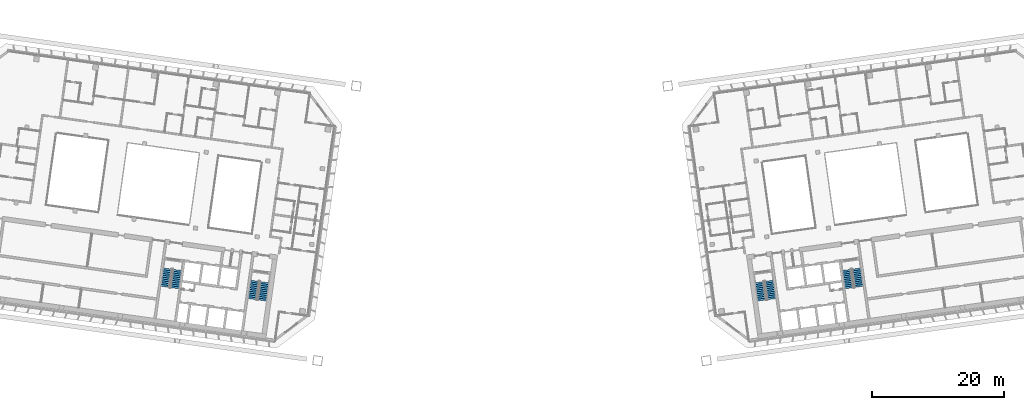
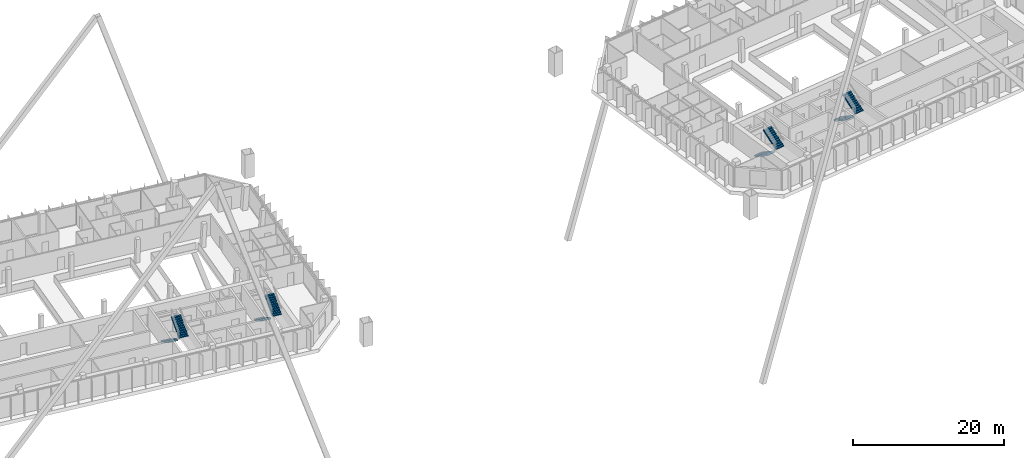
# One storey, part 32 of 38: 8 stair flights, 4 elements without a shape of their own.
"""IFC4 building model written with IfcOpenShell, lengths in metres."""

import ifcopenshell
import ifcopenshell.guid

model = None  # the IFC model being written
_history = None  # IfcOwnerHistory: only IFC2X3 demands one
_inside = {}  # id of a spatial element -> (the spatial element, [elements in it])
_under = {}  # id of a project, library or spatial element -> (it, [spatial elements below it])
_declared = {}  # id of a project -> (the project, [libraries it declares])
_typed = {}  # id of a type object -> (the type object, [elements of that type])
_made_of = {}  # id of a material, layer set ... -> (it, [elements and type objects made of it])


def new_model(schema):
    """Start an empty IFC model of exactly this schema.

    Asked for "IFC4X3", IfcOpenShell would pick the latest addendum, in which some entities
    have other attributes; the version numbers below select the first issue.
    IFC2X3 requires an IfcOwnerHistory on every rooted entity: one is made here for all.
    """
    global model, _history
    if schema == "IFC4X3":
        model = ifcopenshell.file(schema_version=(4, 3, 0, 0))
    else:
        model = ifcopenshell.file(schema=schema)
    _inside.clear()
    _under.clear()
    _declared.clear()
    _typed.clear()
    _made_of.clear()
    _history = None
    if model.schema == "IFC2X3":
        org = make("IfcOrganization", Name="unknown")
        user = make(
            "IfcPersonAndOrganization",
            ThePerson=make("IfcPerson", FamilyName="unknown"),
            TheOrganization=org,
        )
        app = make(
            "IfcApplication",
            ApplicationDeveloper=org,
            Version="unknown",
            ApplicationFullName="unknown",
            ApplicationIdentifier="unknown",
        )
        _history = make(
            "IfcOwnerHistory",
            OwningUser=user,
            OwningApplication=app,
            ChangeAction="ADDED",
            CreationDate=0,
        )
    return model


def make(cls, **values):
    """One entity of the class cls with the attributes given. An attribute that is None is left unset."""
    return model.create_entity(
        cls, **{name: value for name, value in values.items() if value is not None}
    )


def rooted(cls, **values):
    """An entity with a GlobalId (a new one), such as an element, a storey or a relation."""
    return make(cls, GlobalId=ifcopenshell.guid.new(), OwnerHistory=_history, **values)


def si_unit(unit_type, name, prefix=None):
    """IfcSIUnit, for example si_unit("LENGTHUNIT", "METRE", prefix="MILLI")."""
    return make("IfcSIUnit", UnitType=unit_type, Prefix=prefix, Name=name)


def assignment(units):
    """IfcUnitAssignment: the units of a project."""
    return None if units is None else make("IfcUnitAssignment", Units=units)


def point(xyz):
    """IfcCartesianPoint."""
    return None if xyz is None else make("IfcCartesianPoint", Coordinates=xyz)


def direction(xyz):
    """IfcDirection."""
    return None if xyz is None else make("IfcDirection", DirectionRatios=xyz)


def frame(location, z_axis=None, x_axis=None):
    """IfcAxis2Placement3D, a coordinate frame: its origin and axes. An axis left out is left unset."""
    return make(
        "IfcAxis2Placement3D",
        Location=point(location),
        Axis=direction(z_axis),
        RefDirection=direction(x_axis),
    )


def origin():
    """The frame at (0, 0, 0) with its axes left unset."""
    return frame((0.0, 0.0, 0.0))


def place(relative_to, where):
    """IfcLocalPlacement: puts the frame where relative to a parent placement (None: the world)."""
    return make(
        "IfcLocalPlacement", PlacementRelTo=relative_to, RelativePlacement=where
    )


def context(
    kind, dimensions, precision=None, world=None, true_north=None, identifier=None
):
    """IfcGeometricRepresentationContext, for example the 3D "Model" context."""
    return make(
        "IfcGeometricRepresentationContext",
        ContextIdentifier=identifier,
        ContextType=kind,
        CoordinateSpaceDimension=dimensions,
        Precision=precision,
        WorldCoordinateSystem=world,
        TrueNorth=true_north,
    )


def subcontext(parent, identifier, kind, view, scale=None):
    """IfcGeometricRepresentationSubContext, for example "Body" below "Model"."""
    return make(
        "IfcGeometricRepresentationSubContext",
        ContextIdentifier=identifier,
        ContextType=kind,
        ParentContext=parent,
        TargetScale=scale,
        TargetView=view,
    )


def project(units=None, contexts=None):
    """IfcProject with its units and contexts."""
    return rooted(
        "IfcProject",
        Name="project",
        RepresentationContexts=contexts,
        UnitsInContext=assignment(units),
    )


def spatial(cls, under=None, at=None, **own):
    """A site, building, storey or space (cls), placed at a placement, below another one or the project."""
    s = rooted(cls, ObjectPlacement=at, **own)
    if under is not None:
        _under.setdefault(under.id(), (under, []))[1].append(s)
    return s


def polyline(points):
    """IfcPolyline through the points."""
    return make("IfcPolyline", Points=[point(p) for p in points])


def outline(outer, holes=None, kind="AREA"):
    """IfcArbitraryClosedProfileDef: a profile drawn as a closed curve; with holes, ...WithVoids."""
    if holes is None:
        return make("IfcArbitraryClosedProfileDef", ProfileType=kind, OuterCurve=outer)
    return make(
        "IfcArbitraryProfileDefWithVoids",
        ProfileType=kind,
        OuterCurve=outer,
        InnerCurves=holes,
    )


def extrude(swept, where, along, depth):
    """IfcExtrudedAreaSolid: the profile swept, set in the frame where, extruded along a direction by depth."""
    return make(
        "IfcExtrudedAreaSolid",
        SweptArea=swept,
        Position=where,
        ExtrudedDirection=direction(along),
        Depth=depth,
    )


def shape(context_of_items, identifier, shape_type, items):
    """IfcShapeRepresentation: the items that make up one representation, for example the "Body"."""
    return make(
        "IfcShapeRepresentation",
        ContextOfItems=context_of_items,
        RepresentationIdentifier=identifier,
        RepresentationType=shape_type,
        Items=items,
    )


def material(Name=None, Category=None):
    """IfcMaterial."""
    return make("IfcMaterial", Name=Name, Category=Category)


def made_of(thing, what):
    """Note that an element or type object is made of a material, layer set ...; save() writes the relation."""
    if what is not None:
        _made_of.setdefault(what.id(), (what, []))[1].append(thing)
    return thing


def type_object(cls, material=None, **own):
    """A type object (cls), such as IfcWallType, which elements share."""
    return made_of(rooted(cls, **own), material)


def element(
    cls,
    number,
    at=None,
    inside=None,
    cuts=None,
    type_object=None,
    material=None,
    context=None,
    identifier="Body",
    shape_type=None,
    held_by="IfcProductDefinitionShape",
    body=None,
    shapes=None,
    **own,
):
    """One element of the class cls, such as IfcWall. Its Tag is "e" and its number.

    at: its placement. inside: the storey or other place that contains it. cuts: it is an
    opening in that element (IfcRelVoidsElement). A single representation is given by context,
    identifier, shape_type and body (its items); several are given by shapes. held_by: the class
    of the entity that holds the representations. save() writes the other relations.
    """
    e = rooted(cls, Tag="e%d" % number, ObjectPlacement=at, **own)
    if body is not None:
        shapes = [shape(context, identifier, shape_type, body)]
    if shapes is not None:
        e.Representation = make(held_by, Representations=shapes)
    if inside is not None:
        _inside.setdefault(inside.id(), (inside, []))[1].append(e)
    if cuts is not None:
        rooted(
            "IfcRelVoidsElement", RelatingBuildingElement=cuts, RelatedOpeningElement=e
        )
    if type_object is not None:
        _typed.setdefault(type_object.id(), (type_object, []))[1].append(e)
    return made_of(e, material)


def aggregate(whole, parts):
    """IfcRelAggregates: a whole, such as a stair, and the parts it consists of."""
    return rooted("IfcRelAggregates", RelatingObject=whole, RelatedObjects=parts)


def save(model, path):
    """Write the relations noted so far, then the file.

    IfcRelAggregates (storeys below a building ...), IfcRelContainedInSpatialStructure (elements
    in a storey), IfcRelDefinesByType, IfcRelAssociatesMaterial and IfcRelDeclares: one each for
    every whole, place, type object, material and project.
    """
    for whole, parts in _under.values():
        aggregate(whole, parts)
    for where, things in _inside.values():
        rooted(
            "IfcRelContainedInSpatialStructure",
            RelatedElements=things,
            RelatingStructure=where,
        )
    for kind, things in _typed.values():
        rooted("IfcRelDefinesByType", RelatedObjects=things, RelatingType=kind)
    for what, things in _made_of.values():
        rooted("IfcRelAssociatesMaterial", RelatedObjects=things, RelatingMaterial=what)
    for by, libraries in _declared.values():
        rooted("IfcRelDeclares", RelatingContext=by, RelatedDefinitions=libraries)
    model.write(path)


model = new_model("IFC4")

# Units and contexts
model_context = context("Model", 3, precision=1e-05, world=origin(), true_north=direction((0.0, 1.0)))
body_context = subcontext(model_context, "Body", "Model", "MODEL_VIEW")
ifc_project = project(units=[si_unit("LENGTHUNIT", "METRE"), si_unit("AREAUNIT", "SQUARE_METRE"), si_unit("VOLUMEUNIT", "CUBIC_METRE"), si_unit("PLANEANGLEUNIT", "RADIAN"), si_unit("MASSUNIT", "GRAM", prefix="KILO")], contexts=[model_context])

# Site, building, storey
site_placement = place(None, origin())
site = spatial("IfcSite", under=ifc_project, at=site_placement, CompositionType="ELEMENT")
building_placement = place(site_placement, origin())
building = spatial("IfcBuilding", under=site, at=building_placement, Name="Mirante Cascada Hotel Towers", CompositionType="ELEMENT")
storey_placement = place(building_placement, frame((0.0, 0.0, 184.0)))
storey = spatial("IfcBuildingStorey", under=building, at=storey_placement, Name="L43", CompositionType="ELEMENT", Elevation=184.0)

# Stair, stair flights
ifc_material_1 = material(Name="Concrete C35/45", Category="concrete")
stair_type = type_object("IfcStairType", Name="Exit stair half-turn 1350 concrete C35/45", PredefinedType="HALF_TURN_STAIR", material=ifc_material_1)
stair_1_placement = place(storey_placement, origin())
stair_1 = element("IfcStair", 1, at=stair_1_placement, inside=storey, type_object=stair_type, Name="L43 Exit stair A", PredefinedType="HALF_TURN_STAIR")
ifc_material_2 = material(Name="Concrete C35/45", Category="concrete")
stair_flight_type = type_object("IfcStairFlightType", Name="Exit stair flight 1350 concrete C35/45", PredefinedType="STRAIGHT", material=ifc_material_2)
stair_flight_1_placement = place(storey_placement, frame((-38.9417, -11.195, 0.0), z_axis=(0.0, 0.0, 1.0), x_axis=(-0.1391731, -0.9902681, 0.0)))
stair_flight_1 = element("IfcStairFlight", 2, at=stair_flight_1_placement, type_object=stair_flight_type, Name="ST1-A flight 1", NumberOfRisers=11, NumberOfTreads=10, PredefinedType="STRAIGHT", RiserHeight=0.172727273, TreadLength=0.28, context=body_context, shape_type="SweptSolid", body=[
    extrude(outline(polyline([(0.0, 0.0), (0.0, 0.1727), (0.28, 0.1727), (0.28, 0.3455), (0.56, 0.3455), (0.56, 0.5182), (0.84, 0.5182), (0.84, 0.6909), (1.12, 0.6909), (1.12, 0.8636), (1.4, 0.8636), (1.4, 1.0364), (1.68, 1.0364), (1.68, 1.2091), (1.96, 1.2091), (1.96, 1.3818), (2.24, 1.3818), (2.24, 1.5545), (2.52, 1.5545), (2.52, 1.7273), (2.8, 1.7273), (2.8, 1.9), (2.8, 1.551), (0.2857, 0.0), (0.0, 0.0)])), frame((0.0, 0.675, 0.0), z_axis=(0.0, -1.0, 0.0), x_axis=(1.0, 0.0, 0.0)), (0.0, 0.0, 1.0), 1.35),
])
stair_flight_2_placement = place(storey_placement, frame((-37.846, -14.1765, 1.9), z_axis=(0.0, 0.0, 1.0), x_axis=(0.1391731, 0.9902681, 0.0)))
stair_flight_2 = element("IfcStairFlight", 3, at=stair_flight_2_placement, type_object=stair_flight_type, Name="ST1-A flight 2", NumberOfRisers=11, NumberOfTreads=10, PredefinedType="STRAIGHT", RiserHeight=0.172727273, TreadLength=0.28, context=body_context, shape_type="SweptSolid", body=[
    extrude(outline(polyline([(0.0, 0.0), (0.0, 0.1727), (0.28, 0.1727), (0.28, 0.3455), (0.56, 0.3455), (0.56, 0.5182), (0.84, 0.5182), (0.84, 0.6909), (1.12, 0.6909), (1.12, 0.8636), (1.4, 0.8636), (1.4, 1.0364), (1.68, 1.0364), (1.68, 1.2091), (1.96, 1.2091), (1.96, 1.3818), (2.24, 1.3818), (2.24, 1.5545), (2.52, 1.5545), (2.52, 1.7273), (2.8, 1.7273), (2.8, 1.9), (2.8, 1.551), (0.2857, 0.0), (0.0, 0.0)])), frame((0.0, 0.675, 0.0), z_axis=(0.0, -1.0, 0.0), x_axis=(1.0, 0.0, 0.0)), (0.0, 0.0, 1.0), 1.35),
])
aggregate(stair_1, [stair_flight_1, stair_flight_2])

stair_2_placement = place(storey_placement, origin())
stair_2 = element("IfcStair", 4, at=stair_2_placement, inside=storey, type_object=stair_type, Name="L43 Exit stair B", PredefinedType="HALF_TURN_STAIR")
stair_flight_3_placement = place(storey_placement, frame((-52.1618, -9.3371, 0.0), z_axis=(0.0, 0.0, 1.0), x_axis=(-0.1391731, -0.9902681, 0.0)))
stair_flight_3 = element("IfcStairFlight", 5, at=stair_flight_3_placement, type_object=stair_flight_type, Name="ST1-B flight 1", NumberOfRisers=11, NumberOfTreads=10, PredefinedType="STRAIGHT", RiserHeight=0.172727273, TreadLength=0.28, context=body_context, shape_type="SweptSolid", body=[
    extrude(outline(polyline([(0.0, 0.0), (0.0, 0.1727), (0.28, 0.1727), (0.28, 0.3455), (0.56, 0.3455), (0.56, 0.5182), (0.84, 0.5182), (0.84, 0.6909), (1.12, 0.6909), (1.12, 0.8636), (1.4, 0.8636), (1.4, 1.0364), (1.68, 1.0364), (1.68, 1.2091), (1.96, 1.2091), (1.96, 1.3818), (2.24, 1.3818), (2.24, 1.5545), (2.52, 1.5545), (2.52, 1.7273), (2.8, 1.7273), (2.8, 1.9), (2.8, 1.551), (0.2857, 0.0), (0.0, 0.0)])), frame((0.0, 0.675, 0.0), z_axis=(0.0, -1.0, 0.0), x_axis=(1.0, 0.0, 0.0)), (0.0, 0.0, 1.0), 1.35),
])
stair_flight_4_placement = place(storey_placement, frame((-51.0661, -12.3186, 1.9), z_axis=(0.0, 0.0, 1.0), x_axis=(0.1391731, 0.9902681, 0.0)))
stair_flight_4 = element("IfcStairFlight", 6, at=stair_flight_4_placement, type_object=stair_flight_type, Name="ST1-B flight 2", NumberOfRisers=11, NumberOfTreads=10, PredefinedType="STRAIGHT", RiserHeight=0.172727273, TreadLength=0.28, context=body_context, shape_type="SweptSolid", body=[
    extrude(outline(polyline([(0.0, 0.0), (0.0, 0.1727), (0.28, 0.1727), (0.28, 0.3455), (0.56, 0.3455), (0.56, 0.5182), (0.84, 0.5182), (0.84, 0.6909), (1.12, 0.6909), (1.12, 0.8636), (1.4, 0.8636), (1.4, 1.0364), (1.68, 1.0364), (1.68, 1.2091), (1.96, 1.2091), (1.96, 1.3818), (2.24, 1.3818), (2.24, 1.5545), (2.52, 1.5545), (2.52, 1.7273), (2.8, 1.7273), (2.8, 1.9), (2.8, 1.551), (0.2857, 0.0), (0.0, 0.0)])), frame((0.0, 0.675, 0.0), z_axis=(0.0, -1.0, 0.0), x_axis=(1.0, 0.0, 0.0)), (0.0, 0.0, 1.0), 1.35),
])
aggregate(stair_2, [stair_flight_3, stair_flight_4])

stair_3_placement = place(storey_placement, origin())
stair_3 = element("IfcStair", 7, at=stair_3_placement, inside=storey, type_object=stair_type, Name="L43 Exit stair A", PredefinedType="HALF_TURN_STAIR")
stair_flight_5_placement = place(storey_placement, frame((37.4563, -11.4038, 0.0), z_axis=(0.0, 0.0, 1.0), x_axis=(0.1391731, -0.9902681, 0.0)))
stair_flight_5 = element("IfcStairFlight", 8, at=stair_flight_5_placement, type_object=stair_flight_type, Name="ST2-A flight 1", NumberOfRisers=11, NumberOfTreads=10, PredefinedType="STRAIGHT", RiserHeight=0.172727273, TreadLength=0.28, context=body_context, shape_type="SweptSolid", body=[
    extrude(outline(polyline([(0.0, 0.0), (0.0, 0.1727), (0.28, 0.1727), (0.28, 0.3455), (0.56, 0.3455), (0.56, 0.5182), (0.84, 0.5182), (0.84, 0.6909), (1.12, 0.6909), (1.12, 0.8636), (1.4, 0.8636), (1.4, 1.0364), (1.68, 1.0364), (1.68, 1.2091), (1.96, 1.2091), (1.96, 1.3818), (2.24, 1.3818), (2.24, 1.5545), (2.52, 1.5545), (2.52, 1.7273), (2.8, 1.7273), (2.8, 1.9), (2.8, 1.551), (0.2857, 0.0), (0.0, 0.0)])), frame((0.0, 0.675, 0.0), z_axis=(0.0, -1.0, 0.0), x_axis=(1.0, 0.0, 0.0)), (0.0, 0.0, 1.0), 1.35),
])
stair_flight_6_placement = place(storey_placement, frame((39.3314, -13.9678, 1.9), z_axis=(0.0, 0.0, 1.0), x_axis=(-0.1391731, 0.9902681, 0.0)))
stair_flight_6 = element("IfcStairFlight", 9, at=stair_flight_6_placement, type_object=stair_flight_type, Name="ST2-A flight 2", NumberOfRisers=11, NumberOfTreads=10, PredefinedType="STRAIGHT", RiserHeight=0.172727273, TreadLength=0.28, context=body_context, shape_type="SweptSolid", body=[
    extrude(outline(polyline([(0.0, 0.0), (0.0, 0.1727), (0.28, 0.1727), (0.28, 0.3455), (0.56, 0.3455), (0.56, 0.5182), (0.84, 0.5182), (0.84, 0.6909), (1.12, 0.6909), (1.12, 0.8636), (1.4, 0.8636), (1.4, 1.0364), (1.68, 1.0364), (1.68, 1.2091), (1.96, 1.2091), (1.96, 1.3818), (2.24, 1.3818), (2.24, 1.5545), (2.52, 1.5545), (2.52, 1.7273), (2.8, 1.7273), (2.8, 1.9), (2.8, 1.551), (0.2857, 0.0), (0.0, 0.0)])), frame((0.0, 0.675, 0.0), z_axis=(0.0, -1.0, 0.0), x_axis=(1.0, 0.0, 0.0)), (0.0, 0.0, 1.0), 1.35),
])
aggregate(stair_3, [stair_flight_5, stair_flight_6])

stair_4_placement = place(storey_placement, origin())
stair_4 = element("IfcStair", 10, at=stair_4_placement, inside=storey, type_object=stair_type, Name="L43 Exit stair B", PredefinedType="HALF_TURN_STAIR")
stair_flight_7_placement = place(storey_placement, frame((50.6764, -9.5458, 0.0), z_axis=(0.0, 0.0, 1.0), x_axis=(0.1391731, -0.9902681, 0.0)))
stair_flight_7 = element("IfcStairFlight", 11, at=stair_flight_7_placement, type_object=stair_flight_type, Name="ST2-B flight 1", NumberOfRisers=11, NumberOfTreads=10, PredefinedType="STRAIGHT", RiserHeight=0.172727273, TreadLength=0.28, context=body_context, shape_type="SweptSolid", body=[
    extrude(outline(polyline([(0.0, 0.0), (0.0, 0.1727), (0.28, 0.1727), (0.28, 0.3455), (0.56, 0.3455), (0.56, 0.5182), (0.84, 0.5182), (0.84, 0.6909), (1.12, 0.6909), (1.12, 0.8636), (1.4, 0.8636), (1.4, 1.0364), (1.68, 1.0364), (1.68, 1.2091), (1.96, 1.2091), (1.96, 1.3818), (2.24, 1.3818), (2.24, 1.5545), (2.52, 1.5545), (2.52, 1.7273), (2.8, 1.7273), (2.8, 1.9), (2.8, 1.551), (0.2857, 0.0), (0.0, 0.0)])), frame((0.0, 0.675, 0.0), z_axis=(0.0, -1.0, 0.0), x_axis=(1.0, 0.0, 0.0)), (0.0, 0.0, 1.0), 1.35),
])
stair_flight_8_placement = place(storey_placement, frame((52.5515, -12.1098, 1.9), z_axis=(0.0, 0.0, 1.0), x_axis=(-0.1391731, 0.9902681, 0.0)))
stair_flight_8 = element("IfcStairFlight", 12, at=stair_flight_8_placement, type_object=stair_flight_type, Name="ST2-B flight 2", NumberOfRisers=11, NumberOfTreads=10, PredefinedType="STRAIGHT", RiserHeight=0.172727273, TreadLength=0.28, context=body_context, shape_type="SweptSolid", body=[
    extrude(outline(polyline([(0.0, 0.0), (0.0, 0.1727), (0.28, 0.1727), (0.28, 0.3455), (0.56, 0.3455), (0.56, 0.5182), (0.84, 0.5182), (0.84, 0.6909), (1.12, 0.6909), (1.12, 0.8636), (1.4, 0.8636), (1.4, 1.0364), (1.68, 1.0364), (1.68, 1.2091), (1.96, 1.2091), (1.96, 1.3818), (2.24, 1.3818), (2.24, 1.5545), (2.52, 1.5545), (2.52, 1.7273), (2.8, 1.7273), (2.8, 1.9), (2.8, 1.551), (0.2857, 0.0), (0.0, 0.0)])), frame((0.0, 0.675, 0.0), z_axis=(0.0, -1.0, 0.0), x_axis=(1.0, 0.0, 0.0)), (0.0, 0.0, 1.0), 1.35),
])
aggregate(stair_4, [stair_flight_7, stair_flight_8])

save(model, "model.ifc")
